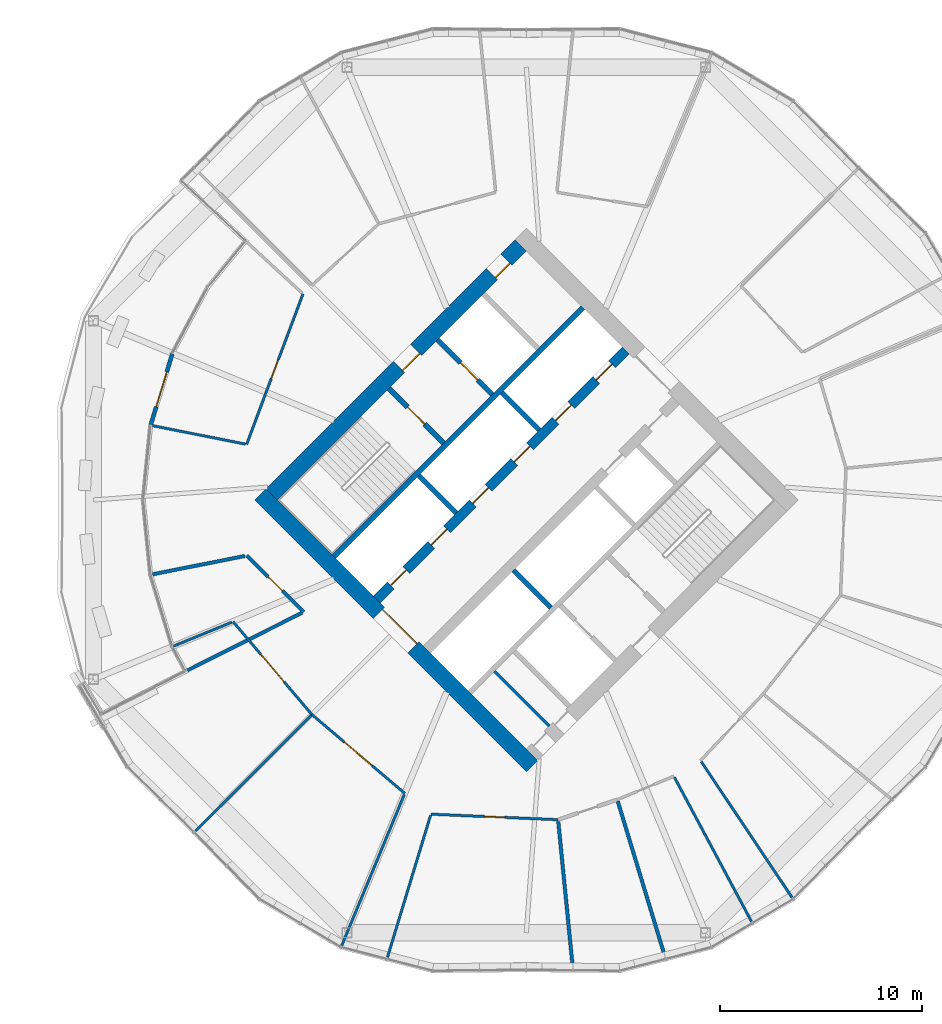
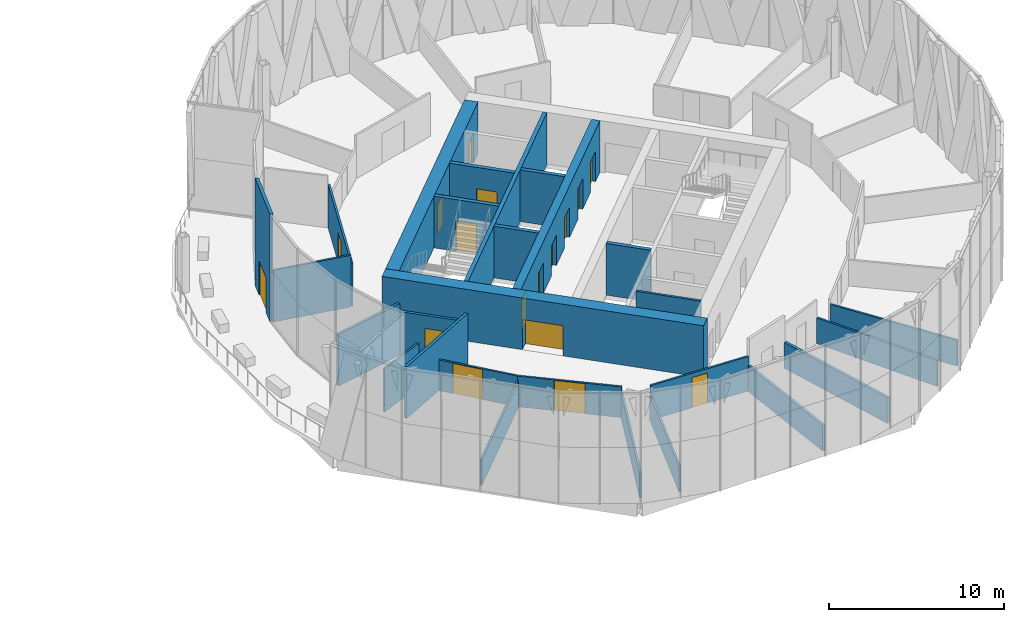
# One storey, part 24 of 31: 27 walls, 17 doors, 17 openings.
"""IFC4 building model written with IfcOpenShell, lengths in metres."""

from ifc_helpers import new_model, si_unit, direction, frame, frame_2d, origin, place, context, subcontext, project, spatial, rectangle, extrude, material, layer, layer_set, type_object, element, fill, save


model = new_model("IFC4")

# Units and contexts
model_context = context("Model", 3, precision=1e-05, world=origin(), true_north=direction((0.0, 1.0)))
body_context = subcontext(model_context, "Body", "Model", "MODEL_VIEW")
ifc_project = project(units=[si_unit("LENGTHUNIT", "METRE"), si_unit("AREAUNIT", "SQUARE_METRE"), si_unit("VOLUMEUNIT", "CUBIC_METRE"), si_unit("PLANEANGLEUNIT", "RADIAN"), si_unit("MASSUNIT", "GRAM", prefix="KILO")], contexts=[model_context])

# Site, building, storey
site_placement = place(None, origin())
site = spatial("IfcSite", under=ifc_project, at=site_placement, CompositionType="ELEMENT")
building_placement = place(site_placement, origin())
building = spatial("IfcBuilding", under=site, at=building_placement, Name="Ogive Gate Towers", CompositionType="ELEMENT")
storey_placement = place(building_placement, frame((0.0, 0.0, 107.39990234375)))
storey = spatial("IfcBuildingStorey", under=building, at=storey_placement, Name="L25", CompositionType="ELEMENT", Elevation=107.39990234375)

# Walls
ifc_material_1 = material(Name="Gypsum board acoustic partition")
ifc_layer_1 = layer(ifc_material_1, 0.175048828125)
ifc_layer_set_1 = layer_set([ifc_layer_1], Name="Acoustic partition 175")
wall_type_1 = type_object("IfcWallType", Name="Acoustic partition 175", PredefinedType="PARTITIONING", material=ifc_layer_set_1)
wall_1_placement = place(storey_placement, frame((17.522705078125, -3.67529296875, 0.0), z_axis=(0.0, 0.0, 1.0), x_axis=(0.980784040032, 0.19509655768, 0.0)))
element("IfcWall", 1, at=wall_1_placement, inside=storey, type_object=wall_type_1, Name="Partition T2-L25-012", PredefinedType="PARTITIONING", context=body_context, shape_type="SweptSolid", body=[
    extrude(rectangle(XDim=4.6513671875, YDim=0.175048828125, at=frame_2d((2.32568359375, 0.0))), origin(), (0.0, 0.0, 1.0), 3.60009765625),
])
wall_2_placement = place(storey_placement, frame((19.2451171875, -8.42529296875, 0.0), z_axis=(0.0, 0.0, 1.0), x_axis=(0.893410086321, 0.449242047966, 0.0)))
element("IfcWall", 2, at=wall_2_placement, inside=storey, type_object=wall_type_1, Name="Partition T2-L25-014", PredefinedType="PARTITIONING", context=body_context, shape_type="SweptSolid", body=[
    extrude(rectangle(XDim=6.351318359375, YDim=0.175048828125, at=frame_2d((3.17578125, 0.0))), origin(), (0.0, 0.0, 1.0), 3.60009765625),
])
wall_3_placement = place(storey_placement, frame((38.302001953125, -23.162353515625, 0.0), z_axis=(0.0, 0.0, 1.0), x_axis=(-0.098874676929, 0.99509989361, 0.0)))
element("IfcWall", 3, at=wall_3_placement, inside=storey, type_object=wall_type_1, Name="Partition T2-L25-018", PredefinedType="PARTITIONING", context=body_context, shape_type="SweptSolid", body=[
    extrude(rectangle(XDim=7.301513671875, YDim=0.175048828125, at=frame_2d((3.65087890625, 0.0))), origin(), (0.0, 0.0, 1.0), 1.800048828125),
])
wall_4_placement = place(storey_placement, frame((42.86376953125, -22.605712890625, 0.0), z_axis=(0.0, 0.0, 1.0), x_axis=(-0.290542582861, 0.956862062966, 0.0)))
element("IfcWall", 4, at=wall_4_placement, inside=storey, type_object=wall_type_1, Name="Partition T2-L25-019", PredefinedType="PARTITIONING", context=body_context, shape_type="SweptSolid", body=[
    extrude(rectangle(XDim=8.0517578125, YDim=0.175048828125, at=frame_2d((4.02587890625, 0.0))), origin(), (0.0, 0.0, 1.0), 1.800048828125),
])

# Wall, opening, door
wall_5_placement = place(storey_placement, frame((24.997802734375, -5.53271484375, 0.0), z_axis=(0.0, 0.0, 1.0), x_axis=(-0.712838510922, 0.701328209433, 0.0)))
wall_5 = element("IfcWall", 5, at=wall_5_placement, inside=storey, type_object=wall_type_1, Name="Partition T2-L25-024", PredefinedType="PARTITIONING", context=body_context, shape_type="SweptSolid", body=[
    extrude(rectangle(XDim=3.96630859375, YDim=0.175048828125, at=frame_2d((1.983154296875, 0.0))), origin(), (0.0, 0.0, 1.0), 3.010009765625),
])
opening_1_placement = place(wall_5_placement, frame((1.48291015625, 0.0, 0.0)))
opening_1 = element("IfcOpeningElement", 6, at=opening_1_placement, cuts=wall_5, Name="Opening T2-L25-D01", PredefinedType="OPENING", context=body_context, shape_type="SweptSolid", body=[
    extrude(rectangle(XDim=1.0, YDim=2.10009765625, at=frame_2d((0.5, 1.050048828125))), frame((0.0, 0.09765625, 0.0), z_axis=(0.0, -1.0, 0.0), x_axis=(1.0, 0.0, 0.0)), (0.0, 0.0, 1.0), 0.195068359375),
])
ifc_material_2 = material(Name="Timber door", Category="wood")
door_type_1 = type_object("IfcDoorType", Name="Door 1000", OperationType="NOTDEFINED", PredefinedType="DOOR", material=ifc_material_2)
door_1_placement = place(opening_1_placement, origin())
door_1 = element("IfcDoor", 7, at=door_1_placement, inside=storey, type_object=door_type_1, Name="Door T2-L25-D01", OperationType="SINGLE_SWING_RIGHT", OverallHeight=2.10009765625, OverallWidth=1.0, PredefinedType="DOOR", context=body_context, shape_type="SweptSolid", body=[
    extrude(rectangle(XDim=1.0, YDim=2.10009765625, at=frame_2d((0.5, 1.050048828125))), frame((0.0, 0.02490234375, 0.0), z_axis=(0.0, -1.0, 0.0), x_axis=(1.0, 0.0, 0.0)), (0.0, 0.0, 1.0), 0.050048828125),
])
fill(opening_1, door_1)

# Wall, openings, doors
ifc_material_3 = material(Name="Concrete C60/75", Category="concrete")
ifc_layer_2 = layer(ifc_material_3, 0.800048828125)
ifc_layer_set_2 = layer_set([ifc_layer_2], Name="Core wall 800 mm")
wall_type_2 = type_object("IfcWallType", Name="Core wall 800 mm", PredefinedType="SHEAR", material=ifc_layer_set_2)
wall_6_placement = place(storey_placement, frame((23.41357421875, 0.28271484375, 0.0), z_axis=(0.0, 0.0, 1.0), x_axis=(0.707106781187, 0.707106781187, 0.0)))
wall_6 = element("IfcWall", 8, at=wall_6_placement, inside=storey, type_object=wall_type_2, Name="T2 L25 Core wall 800 mm", PredefinedType="SHEAR", context=body_context, shape_type="SweptSolid", body=[
    extrude(rectangle(XDim=17.400146484375, YDim=0.800048828125, at=frame_2d((8.7001953125, 0.0))), origin(), (0.0, 0.0, 1.0), 3.60009765625),
])
opening_2_placement = place(wall_6_placement, frame((8.89990234375, 0.0, 0.0)))
opening_2 = element("IfcOpeningElement", 9, at=opening_2_placement, cuts=wall_6, Name="Opening KD-T2-L25-15", PredefinedType="OPENING", context=body_context, shape_type="SweptSolid", body=[
    extrude(rectangle(XDim=1.199951171875, YDim=2.10009765625, at=frame_2d((0.60009765625, 1.050048828125))), frame((0.0, 0.41015625, 0.0), z_axis=(0.0, -1.0, 0.0), x_axis=(1.0, 0.0, 0.0)), (0.0, 0.0, 1.0), 0.820068359375),
])
opening_3_placement = place(wall_6_placement, frame((15.39990234375, 0.0, 0.0)))
opening_3 = element("IfcOpeningElement", 10, at=opening_3_placement, cuts=wall_6, Name="Opening KD-T2-L25-17", PredefinedType="OPENING", context=body_context, shape_type="SweptSolid", body=[
    extrude(rectangle(XDim=1.0, YDim=2.10009765625, at=frame_2d((0.5, 1.050048828125))), frame((0.0, 0.41015625, 0.0), z_axis=(0.0, -1.0, 0.0), x_axis=(1.0, 0.0, 0.0)), (0.0, 0.0, 1.0), 0.820068359375),
])
door_type_2 = type_object("IfcDoorType", Name="Accessible WC door 1000 x 2100", OperationType="NOTDEFINED", PredefinedType="DOOR", material=ifc_material_2)
door_2_placement = place(opening_3_placement, origin())
door_2 = element("IfcDoor", 11, at=door_2_placement, inside=storey, type_object=door_type_2, Name="T2 L25 Core door", OperationType="SINGLE_SWING_RIGHT", OverallHeight=2.10009765625, OverallWidth=1.0, PredefinedType="DOOR", context=body_context, shape_type="SweptSolid", body=[
    extrude(rectangle(XDim=1.0, YDim=2.10009765625, at=frame_2d((0.5, 1.050048828125))), frame((0.0, -0.22509765625, 0.0), z_axis=(0.0, -1.0, 0.0), x_axis=(1.0, 0.0, 0.0)), (0.0, 0.0, 1.0), 0.050048828125),
])
fill(opening_3, door_2)
ifc_material_4 = material(Name="Steel fire door", Category="steel")
door_type_3 = type_object("IfcDoorType", Name="Core door FD60S 1200 x 2100", OperationType="NOTDEFINED", PredefinedType="DOOR", material=ifc_material_4)
door_3_placement = place(opening_2_placement, origin())
door_3 = element("IfcDoor", 12, at=door_3_placement, inside=storey, type_object=door_type_3, Name="T2 L25 Fire-fighting lobby door", OperationType="SINGLE_SWING_RIGHT", OverallHeight=2.10009765625, OverallWidth=1.199951171875, PredefinedType="DOOR", context=body_context, shape_type="SweptSolid", body=[
    extrude(rectangle(XDim=1.199951171875, YDim=2.10009765625, at=frame_2d((0.60009765625, 1.050048828125))), frame((0.0, -0.22509765625, 0.0), z_axis=(0.0, -1.0, 0.0), x_axis=(1.0, 0.0, 0.0)), (0.0, 0.0, 1.0), 0.050048828125),
])
fill(opening_2, door_3)

# Wall, opening, door
wall_7_placement = place(storey_placement, frame((36.28271484375, -13.152099609375, 0.0), z_axis=(0.0, 0.0, 1.0), x_axis=(-0.707106781187, 0.707106781187, 0.0)))
wall_7 = element("IfcWall", 13, at=wall_7_placement, inside=storey, type_object=wall_type_2, Name="T2 L25 Core wall 800 mm", PredefinedType="SHEAR", context=body_context, shape_type="SweptSolid", body=[
    extrude(rectangle(XDim=18.999755859375, YDim=0.800048828125, at=frame_2d((9.5, 0.0))), origin(), (0.0, 0.0, 1.0), 3.60009765625),
])
opening_4_placement = place(wall_7_placement, frame((8.300048828125, 0.0, 0.0)))
opening_4 = element("IfcOpeningElement", 14, at=opening_4_placement, cuts=wall_7, Name="Opening KD-T2-L25-01", PredefinedType="OPENING", context=body_context, shape_type="SweptSolid", body=[
    extrude(rectangle(XDim=2.39990234375, YDim=2.10009765625, at=frame_2d((1.199951171875, 1.050048828125))), frame((0.0, 0.41015625, 0.0), z_axis=(0.0, -1.0, 0.0), x_axis=(1.0, 0.0, 0.0)), (0.0, 0.0, 1.0), 0.820068359375),
])
door_type_4 = type_object("IfcDoorType", Name="Core double door FD60S 2400 x 2100", OperationType="DOUBLE_DOOR_SINGLE_SWING", PredefinedType="DOOR", material=ifc_material_4)
door_4_placement = place(opening_4_placement, origin())
door_4 = element("IfcDoor", 15, at=door_4_placement, inside=storey, type_object=door_type_4, Name="T2 L25 Core door double", OperationType="DOUBLE_DOOR_SINGLE_SWING", OverallHeight=2.10009765625, OverallWidth=2.39990234375, PredefinedType="DOOR", context=body_context, shape_type="SweptSolid", body=[
    extrude(rectangle(XDim=2.39990234375, YDim=2.10009765625, at=frame_2d((1.199951171875, 1.050048828125))), frame((0.0, -0.22509765625, 0.0), z_axis=(0.0, -1.0, 0.0), x_axis=(1.0, 0.0, 0.0)), (0.0, 0.0, 1.0), 0.050048828125),
])
fill(opening_4, door_4)

ifc_material_5 = material(Name="Pale metal aluminium", Category="aluminium")
ifc_layer_3 = layer(ifc_material_5, 0.199951171875)
ifc_layer_set_3 = layer_set([ifc_layer_3], Name="Garden infill wall")
wall_type_3 = type_object("IfcWallType", Name="Garden infill wall", PredefinedType="SOLIDWALL", material=ifc_layer_set_3)
wall_8_placement = place(storey_placement, frame((17.430908203125, 3.718994140625, 0.0), z_axis=(0.0, 0.0, 1.0), x_axis=(0.290196073773, 0.956967208825, 0.0)))
wall_8 = element("IfcWall", 16, at=wall_8_placement, inside=storey, type_object=wall_type_3, Name="Garden infill wall", PredefinedType="SOLIDWALL", context=body_context, shape_type="SweptSolid", body=[
    extrude(rectangle(XDim=3.6630859375, YDim=0.199951171875, at=frame_2d((1.83154296875, 0.0))), origin(), (0.0, 0.0, 1.0), 7.5),
])
opening_5_placement = place(wall_8_placement, frame((0.931396484375, 0.0, 0.0)))
opening_5 = element("IfcOpeningElement", 17, at=opening_5_placement, cuts=wall_8, Name="Opening ED1-L25-01", PredefinedType="OPENING", context=body_context, shape_type="SweptSolid", body=[
    extrude(rectangle(XDim=1.800048828125, YDim=2.39990234375, at=frame_2d((0.89990234375, 1.199951171875))), frame((0.0, 0.10986328125, 0.0), z_axis=(0.0, -1.0, 0.0), x_axis=(1.0, 0.0, 0.0)), (0.0, 0.0, 1.0), 0.219970703125),
])
door_type_5 = type_object("IfcDoorType", Name="Garden door 1800 x 2400", OperationType="DOUBLE_DOOR_SINGLE_SWING", PredefinedType="DOOR", material=ifc_material_5)
door_5_placement = place(opening_5_placement, origin())
door_5 = element("IfcDoor", 18, at=door_5_placement, inside=storey, type_object=door_type_5, Name="Garden door", OperationType="SINGLE_SWING_LEFT", OverallHeight=2.39990234375, OverallWidth=1.800048828125, PredefinedType="DOOR", context=body_context, shape_type="SweptSolid", body=[
    extrude(rectangle(XDim=1.800048828125, YDim=2.39990234375, at=frame_2d((0.89990234375, 1.199951171875))), frame((0.0, 0.02490234375, 0.0), z_axis=(0.0, -1.0, 0.0), x_axis=(1.0, 0.0, 0.0)), (0.0, 0.0, 1.0), 0.050048828125),
])
fill(opening_5, door_5)

# Walls
ifc_material_6 = material(Name="Gypsum board partition")
ifc_layer_4 = layer(ifc_material_6, 0.125)
ifc_layer_set_4 = layer_set([ifc_layer_4], Name="Partition 125")
wall_type_4 = type_object("IfcWallType", Name="Partition 125", PredefinedType="PARTITIONING", material=ifc_layer_set_4)
wall_9_placement = place(storey_placement, frame((17.522705078125, 3.67529296875, 0.0), z_axis=(0.0, 0.0, 1.0), x_axis=(0.980792949078, -0.195051765025, 0.0)))
element("IfcWall", 19, at=wall_9_placement, inside=storey, type_object=wall_type_4, Name="Partition T2-L25-011", PredefinedType="PARTITIONING", context=body_context, shape_type="SweptSolid", body=[
    extrude(rectangle(XDim=4.67626953125, YDim=0.125, at=frame_2d((2.338134765625, 0.0))), origin(), (0.0, 0.0, 1.0), 3.60009765625),
])
wall_10_placement = place(storey_placement, frame((18.501220703125, -7.248291015625, 0.0), z_axis=(0.0, 0.0, 1.0), x_axis=(0.924994273872, 0.379981043347, 0.0)))
element("IfcWall", 20, at=wall_10_placement, inside=storey, type_object=wall_type_4, Name="Partition T2-L25-013", PredefinedType="PARTITIONING", context=body_context, shape_type="SweptSolid", body=[
    extrude(rectangle(XDim=3.17919921875, YDim=0.125, at=frame_2d((1.589599609375, 0.0))), origin(), (0.0, 0.0, 1.0), 3.010009765625),
])
for number, where, z_axis, x_axis, name in (
    (21, (19.63818359375, -16.36181640625, 0.0), (0.0, 0.0, 1.0), (0.707106781187, 0.707106781187, 0.0), "Partition T2-L25-015"),
    (22, (26.876953125, -22.025390625, 0.0), (0.0, 0.0, 1.0), (0.382667716145, 0.923886042226, 0.0), "Partition T2-L25-016"),
):
    element("IfcWall", number, at=place(storey_placement, frame(where, z_axis=z_axis, x_axis=x_axis)), inside=storey, type_object=wall_type_4, Name=name, PredefinedType="PARTITIONING", context=body_context, shape_type="SweptSolid", body=[
        extrude(rectangle(XDim=8.076416015625, YDim=0.125, at=frame_2d((4.0380859375, 0.0))), origin(), (0.0, 0.0, 1.0), 1.800048828125),
    ])
wall_11_placement = place(storey_placement, frame((29.13623046875, -22.605712890625, 0.0), z_axis=(0.0, 0.0, 1.0), x_axis=(0.290540990515, 0.956862546467, 0.0)))
element("IfcWall", 23, at=wall_11_placement, inside=storey, type_object=wall_type_4, Name="Partition T2-L25-017", PredefinedType="PARTITIONING", context=body_context, shape_type="SweptSolid", body=[
    extrude(rectangle(XDim=7.32666015625, YDim=0.125, at=frame_2d((3.663330078125, 0.0))), origin(), (0.0, 0.0, 1.0), 1.800048828125),
])
wall_12_placement = place(storey_placement, frame((47.13134765625, -20.837890625, 0.0), z_axis=(0.0, 0.0, 1.0), x_axis=(-0.471173353505, 0.882040628853, 0.0)))
element("IfcWall", 24, at=wall_12_placement, inside=storey, type_object=wall_type_4, Name="Partition T2-L25-020", PredefinedType="PARTITIONING", context=body_context, shape_type="SweptSolid", body=[
    extrude(rectangle(XDim=8.076416015625, YDim=0.125, at=frame_2d((4.0380859375, 0.0))), origin(), (0.0, 0.0, 1.0), 1.800048828125),
])
wall_13_placement = place(storey_placement, frame((49.139892578125, -19.6513671875, 0.0), z_axis=(0.0, 0.0, 1.0), x_axis=(-0.555864597158, 0.831272849086, 0.0)))
element("IfcWall", 25, at=wall_13_placement, inside=storey, type_object=wall_type_4, Name="Partition T2-L25-021", PredefinedType="PARTITIONING", context=body_context, shape_type="SweptSolid", body=[
    extrude(rectangle(XDim=8.07666015625, YDim=0.125, at=frame_2d((4.038330078125, 0.0))), origin(), (0.0, 0.0, 1.0), 1.800048828125),
])

# Wall, opening, door
wall_14_placement = place(storey_placement, frame((22.17041015625, 2.7509765625, 0.0), z_axis=(0.0, 0.0, 1.0), x_axis=(0.350658580146, 0.936503369012, 0.0)))
wall_14 = element("IfcWall", 26, at=wall_14_placement, inside=storey, type_object=wall_type_4, Name="Partition T2-L25-025", PredefinedType="PARTITIONING", context=body_context, shape_type="SweptSolid", body=[
    extrude(rectangle(XDim=7.943359375, YDim=0.125, at=frame_2d((3.9716796875, 0.0))), origin(), (0.0, 0.0, 1.0), 3.010009765625),
])
opening_6_placement = place(wall_14_placement, frame((3.471923828125, 0.0, 0.0)))
opening_6 = element("IfcOpeningElement", 27, at=opening_6_placement, cuts=wall_14, Name="Opening T2-L25-D02", PredefinedType="OPENING", context=body_context, shape_type="SweptSolid", body=[
    extrude(rectangle(XDim=1.0, YDim=2.10009765625, at=frame_2d((0.5, 1.050048828125))), frame((0.0, 0.072509765625, 0.0), z_axis=(0.0, -1.0, 0.0), x_axis=(1.0, 0.0, 0.0)), (0.0, 0.0, 1.0), 0.14501953125),
])
door_6_placement = place(opening_6_placement, origin())
door_6 = element("IfcDoor", 28, at=door_6_placement, inside=storey, type_object=door_type_1, Name="Door T2-L25-D02", OperationType="SINGLE_SWING_RIGHT", OverallHeight=2.10009765625, OverallWidth=1.0, PredefinedType="DOOR", context=body_context, shape_type="SweptSolid", body=[
    extrude(rectangle(XDim=1.0, YDim=2.10009765625, at=frame_2d((0.5, 1.050048828125))), frame((0.0, 0.02490234375, 0.0), z_axis=(0.0, -1.0, 0.0), x_axis=(1.0, 0.0, 0.0)), (0.0, 0.0, 1.0), 0.050048828125),
])
fill(opening_6, door_6)

wall_15_placement = place(storey_placement, frame((37.5712890625, -15.8095703125, 0.0), z_axis=(0.0, 0.0, 1.0), x_axis=(-0.999050808155, 0.043560104735, 0.0)))
wall_15 = element("IfcWall", 29, at=wall_15_placement, inside=storey, type_object=wall_type_4, Name="Partition T2-L25-036", PredefinedType="PARTITIONING", context=body_context, shape_type="SweptSolid", body=[
    extrude(rectangle(XDim=6.2939453125, YDim=0.125, at=frame_2d((3.14697265625, 0.0))), origin(), (0.0, 0.0, 1.0), 2.400146484375),
])
opening_7_placement = place(wall_15_placement, frame((2.64697265625, 0.0, 0.0)))
opening_7 = element("IfcOpeningElement", 30, at=opening_7_placement, cuts=wall_15, Name="Opening T2-L25-D13", PredefinedType="OPENING", context=body_context, shape_type="SweptSolid", body=[
    extrude(rectangle(XDim=1.0, YDim=2.10009765625, at=frame_2d((0.5, 1.050048828125))), frame((0.0, 0.072509765625, 0.0), z_axis=(0.0, -1.0, 0.0), x_axis=(1.0, 0.0, 0.0)), (0.0, 0.0, 1.0), 0.14501953125),
])
door_7_placement = place(opening_7_placement, origin())
door_7 = element("IfcDoor", 31, at=door_7_placement, inside=storey, type_object=door_type_1, Name="Door T2-L25-D13", OperationType="SINGLE_SWING_LEFT", OverallHeight=2.10009765625, OverallWidth=1.0, PredefinedType="DOOR", context=body_context, shape_type="SweptSolid", body=[
    extrude(rectangle(XDim=1.0, YDim=2.10009765625, at=frame_2d((0.5, 1.050048828125))), frame((0.0, 0.02490234375, 0.0), z_axis=(0.0, -1.0, 0.0), x_axis=(1.0, 0.0, 0.0)), (0.0, 0.0, 1.0), 0.050048828125),
])
fill(opening_7, door_7)

wall_16_placement = place(storey_placement, frame((29.991455078125, -14.505859375, 0.0), z_axis=(0.0, 0.0, 1.0), x_axis=(-0.76269616643, 0.646756954128, 0.0)))
wall_16 = element("IfcWall", 32, at=wall_16_placement, inside=storey, type_object=wall_type_4, Name="Partition T2-L25-037", PredefinedType="PARTITIONING", context=body_context, shape_type="SweptSolid", body=[
    extrude(rectangle(XDim=6.02880859375, YDim=0.125, at=frame_2d((3.014404296875, 0.0))), origin(), (0.0, 0.0, 1.0), 2.14013671875),
])
opening_8_placement = place(wall_16_placement, frame((2.114013671875, 0.0, 0.0)))
opening_8 = element("IfcOpeningElement", 33, at=opening_8_placement, cuts=wall_16, Name="Opening T2-L25-D14", PredefinedType="OPENING", context=body_context, shape_type="SweptSolid", body=[
    extrude(rectangle(XDim=1.800048828125, YDim=2.10009765625, at=frame_2d((0.89990234375, 1.050048828125))), frame((0.0, 0.072509765625, 0.0), z_axis=(0.0, -1.0, 0.0), x_axis=(1.0, 0.0, 0.0)), (0.0, 0.0, 1.0), 0.14501953125),
])
door_type_6 = type_object("IfcDoorType", Name="Door pair 1800", OperationType="NOTDEFINED", PredefinedType="DOOR", material=ifc_material_2)
door_8_placement = place(opening_8_placement, origin())
door_8 = element("IfcDoor", 34, at=door_8_placement, inside=storey, type_object=door_type_6, Name="Door T2-L25-D14", OperationType="DOUBLE_DOOR_DOUBLE_SWING", OverallHeight=2.10009765625, OverallWidth=1.800048828125, PredefinedType="DOOR", context=body_context, shape_type="SweptSolid", body=[
    extrude(rectangle(XDim=1.800048828125, YDim=2.10009765625, at=frame_2d((0.89990234375, 1.050048828125))), frame((0.0, 0.02490234375, 0.0), z_axis=(0.0, -1.0, 0.0), x_axis=(1.0, 0.0, 0.0)), (0.0, 0.0, 1.0), 0.050048828125),
])
fill(opening_8, door_8)

wall_17_placement = place(storey_placement, frame((25.393310546875, -10.606689453125, 0.0), z_axis=(0.0, 0.0, 1.0), x_axis=(-0.646858105172, 0.762610380059, 0.0)))
wall_17 = element("IfcWall", 35, at=wall_17_placement, inside=storey, type_object=wall_type_4, Name="Partition T2-L25-038", PredefinedType="PARTITIONING", context=body_context, shape_type="SweptSolid", body=[
    extrude(rectangle(XDim=6.01953125, YDim=0.125, at=frame_2d((3.009765625, 0.0))), origin(), (0.0, 0.0, 1.0), 2.14013671875),
])
opening_9_placement = place(wall_17_placement, frame((2.110107421875, 0.0, 0.0)))
opening_9 = element("IfcOpeningElement", 36, at=opening_9_placement, cuts=wall_17, Name="Opening T2-L25-D15", PredefinedType="OPENING", context=body_context, shape_type="SweptSolid", body=[
    extrude(rectangle(XDim=1.800048828125, YDim=2.10009765625, at=frame_2d((0.89990234375, 1.050048828125))), frame((0.0, 0.072509765625, 0.0), z_axis=(0.0, -1.0, 0.0), x_axis=(1.0, 0.0, 0.0)), (0.0, 0.0, 1.0), 0.14501953125),
])
door_9_placement = place(opening_9_placement, origin())
door_9 = element("IfcDoor", 37, at=door_9_placement, inside=storey, type_object=door_type_6, Name="Door T2-L25-D15", OperationType="DOUBLE_DOOR_DOUBLE_SWING", OverallHeight=2.10009765625, OverallWidth=1.800048828125, PredefinedType="DOOR", context=body_context, shape_type="SweptSolid", body=[
    extrude(rectangle(XDim=1.800048828125, YDim=2.10009765625, at=frame_2d((0.89990234375, 1.050048828125))), frame((0.0, 0.02490234375, 0.0), z_axis=(0.0, -1.0, 0.0), x_axis=(1.0, 0.0, 0.0)), (0.0, 0.0, 1.0), 0.050048828125),
])
fill(opening_9, door_9)

# Walls
ifc_layer_5 = layer(ifc_material_6, 0.14990234375)
ifc_layer_set_5 = layer_set([ifc_layer_5], Name="Room partition 150 mm")
wall_type_5 = type_object("IfcWallType", Name="Room partition 150 mm", PredefinedType="PARTITIONING", material=ifc_layer_set_5)
wall_18_placement = place(storey_placement, frame((37.13134765625, -11.17236328125, 0.0), z_axis=(0.0, 0.0, 1.0), x_axis=(-0.707074866995, 0.707138693938, 0.0)))
element("IfcWall", 38, at=wall_18_placement, inside=storey, type_object=wall_type_5, Name="T2 L25 Room partition 150 mm", PredefinedType="PARTITIONING", context=body_context, shape_type="SweptSolid", body=[
    extrude(rectangle(XDim=3.824951171875, YDim=0.14990234375, at=frame_2d((1.91259765625, 0.0))), origin(), (0.0, 0.0, 1.0), 3.60009765625),
])
ifc_layer_6 = layer(ifc_material_3, 0.25)
ifc_layer_set_6 = layer_set([ifc_layer_6], Name="Shaft wall 250 mm")
wall_type_6 = type_object("IfcWallType", Name="Shaft wall 250 mm", PredefinedType="SHEAR", material=ifc_layer_set_6)
wall_19_placement = place(storey_placement, frame((26.489501953125, -2.793212890625, 0.0), z_axis=(0.0, 0.0, 1.0), x_axis=(0.707106781187, 0.707106781187, 0.0)))
element("IfcWall", 39, at=wall_19_placement, inside=storey, type_object=wall_type_6, Name="T2 L25 Shaft wall 250 mm", PredefinedType="SHEAR", context=body_context, shape_type="SweptSolid", body=[
    extrude(rectangle(XDim=17.400146484375, YDim=0.25, at=frame_2d((8.7001953125, 0.0))), origin(), (0.0, 0.0, 1.0), 3.60009765625),
])
for number, where, z_axis, x_axis, name in (
    (40, (37.2197265625, -5.321044921875, 0.0), (0.0, 0.0, 1.0), (-0.707106781187, 0.707106781187, 0.0), "T2 L25 Shaft wall 250 mm"),
    (41, (32.53515625, -0.636474609375, 0.0), (0.0, 0.0, 1.0), (-0.707106781187, 0.707106781187, 0.0), "T2 L25 Shaft wall 250 mm"),
):
    element("IfcWall", number, at=place(storey_placement, frame(where, z_axis=z_axis, x_axis=x_axis)), inside=storey, type_object=wall_type_6, Name=name, PredefinedType="SHEAR", context=body_context, shape_type="SweptSolid", body=[
        extrude(rectangle(XDim=2.625, YDim=0.25, at=frame_2d((1.3125, 0.0))), origin(), (0.0, 0.0, 1.0), 3.60009765625),
    ])

# Wall, opening, door
wall_20_placement = place(storey_placement, frame((31.91650390625, 2.810791015625, 0.0), z_axis=(0.0, 0.0, 1.0), x_axis=(-0.707106781187, 0.707106781187, 0.0)))
wall_20 = element("IfcWall", 42, at=wall_20_placement, inside=storey, type_object=wall_type_6, Name="T2 L25 Shaft wall 250 mm", PredefinedType="SHEAR", context=body_context, shape_type="SweptSolid", body=[
    extrude(rectangle(XDim=3.824951171875, YDim=0.25, at=frame_2d((1.91259765625, 0.0))), origin(), (0.0, 0.0, 1.0), 3.60009765625),
])
opening_10_placement = place(wall_20_placement, frame((1.324951171875, 0.0, 0.0)))
opening_10 = element("IfcOpeningElement", 43, at=opening_10_placement, cuts=wall_20, Name="Opening KD-T2-L25-13", PredefinedType="OPENING", context=body_context, shape_type="SweptSolid", body=[
    extrude(rectangle(XDim=1.199951171875, YDim=2.10009765625, at=frame_2d((0.60009765625, 1.050048828125))), frame((0.0, 0.135009765625, 0.0), z_axis=(0.0, -1.0, 0.0), x_axis=(1.0, 0.0, 0.0)), (0.0, 0.0, 1.0), 0.27001953125),
])
door_10_placement = place(opening_10_placement, origin())
door_10 = element("IfcDoor", 44, at=door_10_placement, inside=storey, type_object=door_type_3, Name="T2 L25 Stair door", OperationType="SINGLE_SWING_RIGHT", OverallHeight=2.10009765625, OverallWidth=1.199951171875, PredefinedType="DOOR", context=body_context, shape_type="SweptSolid", body=[
    extrude(rectangle(XDim=1.199951171875, YDim=2.10009765625, at=frame_2d((0.60009765625, 1.050048828125))), frame((0.0, 0.02490234375, 0.0), z_axis=(0.0, -1.0, 0.0), x_axis=(1.0, 0.0, 0.0)), (0.0, 0.0, 1.0), 0.050048828125),
])
fill(opening_10, door_10)

wall_21_placement = place(storey_placement, frame((34.320556640625, 5.21484375, 0.0), z_axis=(0.0, 0.0, 1.0), x_axis=(-0.707074866995, 0.707138693938, 0.0)))
wall_21 = element("IfcWall", 45, at=wall_21_placement, inside=storey, type_object=wall_type_6, Name="T2 L25 Shaft wall 250 mm", PredefinedType="SHEAR", context=body_context, shape_type="SweptSolid", body=[
    extrude(rectangle(XDim=3.824951171875, YDim=0.25, at=frame_2d((1.91259765625, 0.0))), origin(), (0.0, 0.0, 1.0), 3.60009765625),
])
opening_11_placement = place(wall_21_placement, frame((1.02490234375, 0.0, 0.0)))
opening_11 = element("IfcOpeningElement", 46, at=opening_11_placement, cuts=wall_21, Name="Opening LD-T2-L25-10", PredefinedType="OPENING", context=body_context, shape_type="SweptSolid", body=[
    extrude(rectangle(XDim=1.199951171875, YDim=2.10009765625, at=frame_2d((0.60009765625, 1.050048828125))), frame((0.0, 0.135009765625, 0.0), z_axis=(0.0, -1.0, 0.0), x_axis=(1.0, 0.0, 0.0)), (0.0, 0.0, 1.0), 0.27001953125),
])
ifc_material_7 = material(Name="Stainless steel landing door", Category="steel")
door_type_7 = type_object("IfcDoorType", Name="Landing door 1200 x 2100", OperationType="SLIDING_TO_LEFT", PredefinedType="DOOR", material=ifc_material_7)
door_11_placement = place(opening_11_placement, origin())
door_11 = element("IfcDoor", 47, at=door_11_placement, inside=storey, type_object=door_type_7, Name="T2 L25 Lift landing door FF1", OperationType="SLIDING_TO_LEFT", OverallHeight=2.10009765625, OverallWidth=1.199951171875, PredefinedType="DOOR", context=body_context, shape_type="SweptSolid", body=[
    extrude(rectangle(XDim=1.199951171875, YDim=2.10009765625, at=frame_2d((0.60009765625, 1.050048828125))), frame((0.0, 0.02490234375, 0.0), z_axis=(0.0, -1.0, 0.0), x_axis=(1.0, 0.0, 0.0)), (0.0, 0.0, 1.0), 0.050048828125),
])
fill(opening_11, door_11)

# Wall
wall_22_placement = place(storey_placement, frame((36.636474609375, 3.46484375, 0.0), z_axis=(0.0, 0.0, 1.0), x_axis=(-0.707106781187, 0.707106781187, 0.0)))
element("IfcWall", 48, at=wall_22_placement, inside=storey, type_object=wall_type_6, Name="T2 L25 Shaft wall 250 mm", PredefinedType="SHEAR", context=body_context, shape_type="SweptSolid", body=[
    extrude(rectangle(XDim=2.625, YDim=0.25, at=frame_2d((1.3125, 0.0))), origin(), (0.0, 0.0, 1.0), 3.60009765625),
])

# Wall, openings, doors
ifc_layer_7 = layer(ifc_material_3, 0.5)
ifc_layer_set_7 = layer_set([ifc_layer_7], Name="Spine wall 500 mm")
wall_type_7 = type_object("IfcWallType", Name="Spine wall 500 mm", PredefinedType="SHEAR", material=ifc_layer_set_7)
wall_23_placement = place(storey_placement, frame((28.610595703125, -4.914306640625, 0.0), z_axis=(0.0, 0.0, 1.0), x_axis=(0.707106781187, 0.707106781187, 0.0)))
wall_23 = element("IfcWall", 49, at=wall_23_placement, inside=storey, type_object=wall_type_7, Name="T2 L25 Spine wall 500 mm", PredefinedType="SHEAR", context=body_context, shape_type="SweptSolid", body=[
    extrude(rectangle(XDim=17.400146484375, YDim=0.5, at=frame_2d((8.7001953125, 0.0))), origin(), (0.0, 0.0, 1.0), 3.60009765625),
])
opening_12_placement = place(wall_23_placement, frame((0.96240234375, 0.0, 0.0)))
opening_12 = element("IfcOpeningElement", 50, at=opening_12_placement, cuts=wall_23, Name="Opening LD-T2-L25-03", PredefinedType="OPENING", context=body_context, shape_type="SweptSolid", body=[
    extrude(rectangle(XDim=1.10009765625, YDim=2.10009765625, at=frame_2d((0.550048828125, 1.050048828125))), frame((0.0, 0.260009765625, 0.0), z_axis=(0.0, -1.0, 0.0), x_axis=(1.0, 0.0, 0.0)), (0.0, 0.0, 1.0), 0.52001953125),
])
opening_13_placement = place(wall_23_placement, frame((3.800048828125, 0.0, 0.0)))
opening_13 = element("IfcOpeningElement", 51, at=opening_13_placement, cuts=wall_23, Name="Opening LD-T2-L25-04", PredefinedType="OPENING", context=body_context, shape_type="SweptSolid", body=[
    extrude(rectangle(XDim=1.10009765625, YDim=2.10009765625, at=frame_2d((0.550048828125, 1.050048828125))), frame((0.0, 0.260009765625, 0.0), z_axis=(0.0, -1.0, 0.0), x_axis=(1.0, 0.0, 0.0)), (0.0, 0.0, 1.0), 0.52001953125),
])
opening_14_placement = place(wall_23_placement, frame((6.699951171875, 0.0, 0.0)))
opening_14 = element("IfcOpeningElement", 52, at=opening_14_placement, cuts=wall_23, Name="Opening LD-T2-L25-05", PredefinedType="OPENING", context=body_context, shape_type="SweptSolid", body=[
    extrude(rectangle(XDim=1.10009765625, YDim=2.10009765625, at=frame_2d((0.550048828125, 1.050048828125))), frame((0.0, 0.260009765625, 0.0), z_axis=(0.0, -1.0, 0.0), x_axis=(1.0, 0.0, 0.0)), (0.0, 0.0, 1.0), 0.52001953125),
])
opening_15_placement = place(wall_23_placement, frame((9.60009765625, 0.0, 0.0)))
opening_15 = element("IfcOpeningElement", 53, at=opening_15_placement, cuts=wall_23, Name="Opening LD-T2-L25-06", PredefinedType="OPENING", context=body_context, shape_type="SweptSolid", body=[
    extrude(rectangle(XDim=1.10009765625, YDim=2.10009765625, at=frame_2d((0.550048828125, 1.050048828125))), frame((0.0, 0.260009765625, 0.0), z_axis=(0.0, -1.0, 0.0), x_axis=(1.0, 0.0, 0.0)), (0.0, 0.0, 1.0), 0.52001953125),
])
opening_16_placement = place(wall_23_placement, frame((12.5, 0.0, 0.0)))
opening_16 = element("IfcOpeningElement", 54, at=opening_16_placement, cuts=wall_23, Name="Opening LD-T2-L25-07", PredefinedType="OPENING", context=body_context, shape_type="SweptSolid", body=[
    extrude(rectangle(XDim=1.10009765625, YDim=2.10009765625, at=frame_2d((0.550048828125, 1.050048828125))), frame((0.0, 0.260009765625, 0.0), z_axis=(0.0, -1.0, 0.0), x_axis=(1.0, 0.0, 0.0)), (0.0, 0.0, 1.0), 0.52001953125),
])
opening_17_placement = place(wall_23_placement, frame((15.33740234375, 0.0, 0.0)))
opening_17 = element("IfcOpeningElement", 55, at=opening_17_placement, cuts=wall_23, Name="Opening LD-T2-L25-08", PredefinedType="OPENING", context=body_context, shape_type="SweptSolid", body=[
    extrude(rectangle(XDim=1.10009765625, YDim=2.10009765625, at=frame_2d((0.550048828125, 1.050048828125))), frame((0.0, 0.260009765625, 0.0), z_axis=(0.0, -1.0, 0.0), x_axis=(1.0, 0.0, 0.0)), (0.0, 0.0, 1.0), 0.52001953125),
])
door_type_8 = type_object("IfcDoorType", Name="Landing door 1100 x 2100", OperationType="SLIDING_TO_LEFT", PredefinedType="DOOR", material=ifc_material_7)
door_12_placement = place(opening_12_placement, origin())
door_12 = element("IfcDoor", 56, at=door_12_placement, inside=storey, type_object=door_type_8, Name="T2 L25 Lift landing door A1", OperationType="SLIDING_TO_LEFT", OverallHeight=2.10009765625, OverallWidth=1.10009765625, PredefinedType="DOOR", context=body_context, shape_type="SweptSolid", body=[
    extrude(rectangle(XDim=1.10009765625, YDim=2.10009765625, at=frame_2d((0.550048828125, 1.050048828125))), frame((0.0, 0.02490234375, 0.0), z_axis=(0.0, -1.0, 0.0), x_axis=(1.0, 0.0, 0.0)), (0.0, 0.0, 1.0), 0.050048828125),
])
fill(opening_12, door_12)
door_13_placement = place(opening_13_placement, origin())
door_13 = element("IfcDoor", 57, at=door_13_placement, inside=storey, type_object=door_type_8, Name="T2 L25 Lift landing door A2", OperationType="SLIDING_TO_LEFT", OverallHeight=2.10009765625, OverallWidth=1.10009765625, PredefinedType="DOOR", context=body_context, shape_type="SweptSolid", body=[
    extrude(rectangle(XDim=1.10009765625, YDim=2.10009765625, at=frame_2d((0.550048828125, 1.050048828125))), frame((0.0, 0.02490234375, 0.0), z_axis=(0.0, -1.0, 0.0), x_axis=(1.0, 0.0, 0.0)), (0.0, 0.0, 1.0), 0.050048828125),
])
fill(opening_13, door_13)
door_14_placement = place(opening_14_placement, origin())
door_14 = element("IfcDoor", 58, at=door_14_placement, inside=storey, type_object=door_type_8, Name="T2 L25 Lift landing door A3", OperationType="SLIDING_TO_LEFT", OverallHeight=2.10009765625, OverallWidth=1.10009765625, PredefinedType="DOOR", context=body_context, shape_type="SweptSolid", body=[
    extrude(rectangle(XDim=1.10009765625, YDim=2.10009765625, at=frame_2d((0.550048828125, 1.050048828125))), frame((0.0, 0.02490234375, 0.0), z_axis=(0.0, -1.0, 0.0), x_axis=(1.0, 0.0, 0.0)), (0.0, 0.0, 1.0), 0.050048828125),
])
fill(opening_14, door_14)
door_15_placement = place(opening_15_placement, origin())
door_15 = element("IfcDoor", 59, at=door_15_placement, inside=storey, type_object=door_type_8, Name="T2 L25 Lift landing door A4", OperationType="SLIDING_TO_LEFT", OverallHeight=2.10009765625, OverallWidth=1.10009765625, PredefinedType="DOOR", context=body_context, shape_type="SweptSolid", body=[
    extrude(rectangle(XDim=1.10009765625, YDim=2.10009765625, at=frame_2d((0.550048828125, 1.050048828125))), frame((0.0, 0.02490234375, 0.0), z_axis=(0.0, -1.0, 0.0), x_axis=(1.0, 0.0, 0.0)), (0.0, 0.0, 1.0), 0.050048828125),
])
fill(opening_15, door_15)
door_16_placement = place(opening_16_placement, origin())
door_16 = element("IfcDoor", 60, at=door_16_placement, inside=storey, type_object=door_type_8, Name="T2 L25 Lift landing door A5", OperationType="SLIDING_TO_LEFT", OverallHeight=2.10009765625, OverallWidth=1.10009765625, PredefinedType="DOOR", context=body_context, shape_type="SweptSolid", body=[
    extrude(rectangle(XDim=1.10009765625, YDim=2.10009765625, at=frame_2d((0.550048828125, 1.050048828125))), frame((0.0, 0.02490234375, 0.0), z_axis=(0.0, -1.0, 0.0), x_axis=(1.0, 0.0, 0.0)), (0.0, 0.0, 1.0), 0.050048828125),
])
fill(opening_16, door_16)
door_17_placement = place(opening_17_placement, origin())
door_17 = element("IfcDoor", 61, at=door_17_placement, inside=storey, type_object=door_type_8, Name="T2 L25 Lift landing door A6", OperationType="SLIDING_TO_LEFT", OverallHeight=2.10009765625, OverallWidth=1.10009765625, PredefinedType="DOOR", context=body_context, shape_type="SweptSolid", body=[
    extrude(rectangle(XDim=1.10009765625, YDim=2.10009765625, at=frame_2d((0.550048828125, 1.050048828125))), frame((0.0, 0.02490234375, 0.0), z_axis=(0.0, -1.0, 0.0), x_axis=(1.0, 0.0, 0.0)), (0.0, 0.0, 1.0), 0.050048828125),
])
fill(opening_17, door_17)

save(model, "model.ifc")
